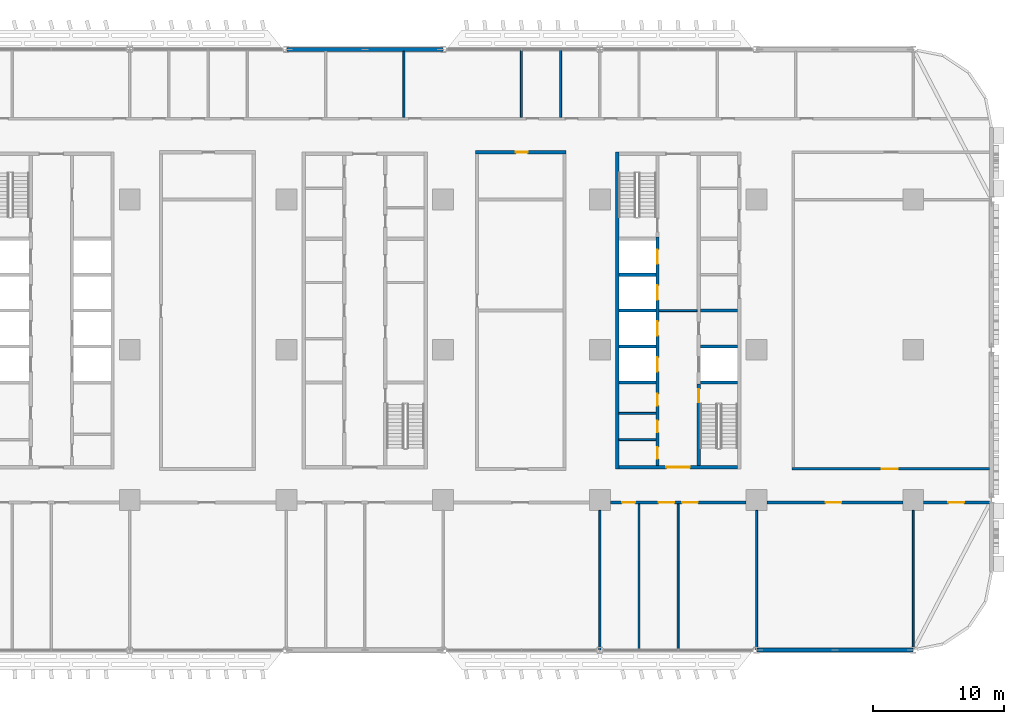
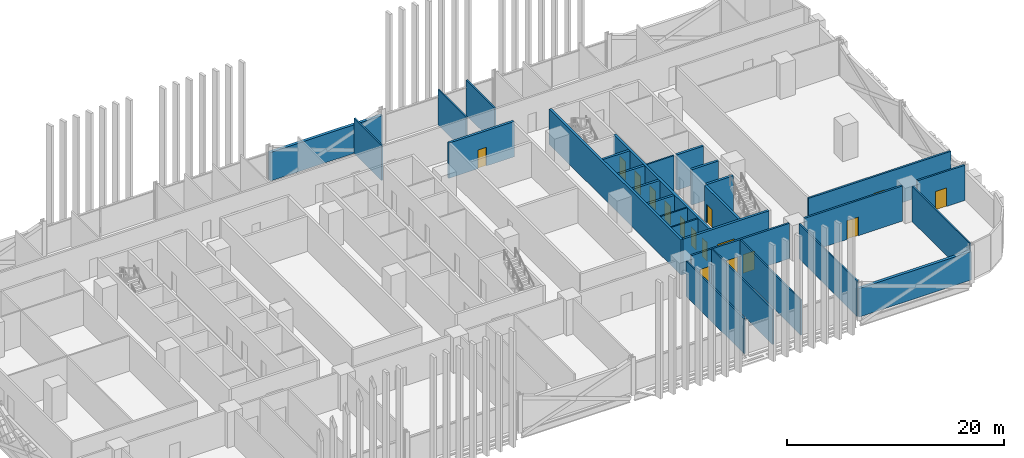
# One storey, part 14 of 29: 29 walls, 16 doors, 16 openings.
"""IFC4 building model written with IfcOpenShell, lengths in metres."""

from ifc_helpers import new_model, si_unit, direction, frame, frame_2d, origin, place, context, subcontext, project, spatial, rectangle, extrude, material, layer, layer_set, type_object, element, fill, save


model = new_model("IFC4")

# Units and contexts
model_context = context("Model", 3, precision=1e-05, world=origin(), true_north=direction((0.0, 1.0)))
body_context = subcontext(model_context, "Body", "Model", "MODEL_VIEW")
ifc_project = project(units=[si_unit("LENGTHUNIT", "METRE"), si_unit("AREAUNIT", "SQUARE_METRE"), si_unit("VOLUMEUNIT", "CUBIC_METRE"), si_unit("PLANEANGLEUNIT", "RADIAN"), si_unit("MASSUNIT", "GRAM", prefix="KILO")], contexts=[model_context])

# Site, building, storey
site_placement = place(None, origin())
site = spatial("IfcSite", under=ifc_project, at=site_placement, CompositionType="ELEMENT")
building_placement = place(site_placement, origin())
building = spatial("IfcBuilding", under=site, at=building_placement, Name="Mahtab Terrace Research Tower", CompositionType="ELEMENT")
storey_placement = place(building_placement, frame((0.0, 0.0, 24.39990234375)))
storey = spatial("IfcBuildingStorey", under=building, at=storey_placement, Name="L05", CompositionType="ELEMENT", Elevation=24.39990234375)

# Walls
ifc_material_1 = material(Name="Gypsum board partition")
ifc_layer_1 = layer(ifc_material_1, 0.14990234375)
ifc_layer_set_1 = layer_set([ifc_layer_1], Name="Core partition 150")
wall_type_1 = type_object("IfcWallType", Name="Core partition 150", PredefinedType="PARTITIONING", material=ifc_layer_set_1)
wall_1_placement = place(storey_placement, frame((22.550048828125, 3.0, 0.0), z_axis=(0.0, 0.0, 1.0), x_axis=(1.0, 0.0, 0.0)))
element("IfcWall", 1, at=wall_1_placement, inside=storey, type_object=wall_type_1, Name="Core wall C ffl", PredefinedType="PARTITIONING", context=body_context, shape_type="SweptSolid", body=[
    extrude(rectangle(XDim=2.89990234375, YDim=0.14990234375, at=frame_2d((1.449951171875, 0.0))), origin(), (0.0, 0.0, 1.0), 3.960205078125),
])
for number, where, z_axis, x_axis, name in (
    (2, (19.449951171875, -6.875, 0.0), (0.0, 0.0, 1.0), (1.0, 0.0, 0.0), "Core wall C pWS-988"),
    (3, (19.449951171875, -4.875, 0.0), (0.0, 0.0, 1.0), (1.0, 0.0, 0.0), "Core wall C pWS-788"),
):
    element("IfcWall", number, at=place(storey_placement, frame(where, z_axis=z_axis, x_axis=x_axis)), inside=storey, type_object=wall_type_1, Name=name, PredefinedType="PARTITIONING", context=body_context, shape_type="SweptSolid", body=[
        extrude(rectangle(XDim=2.85009765625, YDim=0.14990234375, at=frame_2d((1.425048828125, 0.0))), origin(), (0.0, 0.0, 1.0), 3.960205078125),
    ])
ifc_material_2 = material(Name="Concrete C70/85", Category="concrete")
ifc_layer_2 = layer(ifc_material_2, 0.25)
ifc_layer_set_2 = layer_set([ifc_layer_2], Name="Core wall 250")
wall_type_2 = type_object("IfcWallType", Name="Core wall 250", PredefinedType="SOLIDWALL", material=ifc_layer_set_2)
wall_2_placement = place(storey_placement, frame((19.324951171875, 15.125, 0.0), z_axis=(0.0, 0.0, 1.0), x_axis=(0.0, -1.0, 0.0)))
element("IfcWall", 4, at=wall_2_placement, inside=storey, type_object=wall_type_2, Name="Core wall C outerW", PredefinedType="SOLIDWALL", context=body_context, shape_type="SweptSolid", body=[
    extrude(rectangle(XDim=24.25, YDim=0.25, at=frame_2d((12.125, 0.0))), origin(), (0.0, 0.0, 1.0), 3.960205078125),
])

# Wall, opening, door
wall_3_placement = place(storey_placement, frame((28.550048828125, -9.0, 0.0), z_axis=(0.0, 0.0, 1.0), x_axis=(-1.0, 0.0, 0.0)))
wall_3 = element("IfcWall", 5, at=wall_3_placement, inside=storey, type_object=wall_type_2, Name="Core wall C endS", PredefinedType="SOLIDWALL", context=body_context, shape_type="SweptSolid", body=[
    extrude(rectangle(XDim=9.10009765625, YDim=0.25, at=frame_2d((4.550048828125, 0.0))), origin(), (0.0, 0.0, 1.0), 3.960205078125),
])
opening_1_placement = place(wall_3_placement, frame((3.64990234375, 0.0, 0.0)))
opening_1 = element("IfcOpeningElement", 6, at=opening_1_placement, cuts=wall_3, Name="Opening C-S1", PredefinedType="OPENING", context=body_context, shape_type="SweptSolid", body=[
    extrude(rectangle(XDim=1.800048828125, YDim=2.10009765625, at=frame_2d((0.89990234375, 1.050048828125))), frame((0.0, 0.135009765625, 0.0), z_axis=(0.0, -1.0, 0.0), x_axis=(1.0, 0.0, 0.0)), (0.0, 0.0, 1.0), 0.27001953125),
])
ifc_material_3 = material(Name="Steel fire door", Category="steel")
door_type_1 = type_object("IfcDoorType", Name="Lobby double door 1800x2100 1 HR", OperationType="DOUBLE_DOOR_SINGLE_SWING", PredefinedType="DOOR", material=ifc_material_3)
door_1_placement = place(opening_1_placement, origin())
door_1 = element("IfcDoor", 7, at=door_1_placement, inside=storey, type_object=door_type_1, Name="Core entrance door C S", OperationType="DOUBLE_DOOR_SINGLE_SWING", OverallHeight=2.10009765625, OverallWidth=1.800048828125, PredefinedType="DOOR", context=body_context, shape_type="SweptSolid", body=[
    extrude(rectangle(XDim=1.800048828125, YDim=2.10009765625, at=frame_2d((0.89990234375, 1.050048828125))), frame((0.0, 0.02490234375, 0.0), z_axis=(0.0, -1.0, 0.0), x_axis=(1.0, 0.0, 0.0)), (0.0, 0.0, 1.0), 0.050048828125),
])
fill(opening_1, door_1)

# Wall, openings, doors
wall_4_placement = place(storey_placement, frame((22.425048828125, -8.875, 0.0), z_axis=(0.0, 0.0, 1.0), x_axis=(0.0, 1.0, 0.0)))
wall_4 = element("IfcWall", 8, at=wall_4_placement, inside=storey, type_object=wall_type_2, Name="Core wall C innerWSL", PredefinedType="SOLIDWALL", context=body_context, shape_type="SweptSolid", body=[
    extrude(rectangle(XDim=17.5, YDim=0.25, at=frame_2d((8.75, 0.0))), origin(), (0.0, 0.0, 1.0), 3.960205078125),
])
opening_2_placement = place(wall_4_placement, frame((7.199951171875, 0.0, 0.0)))
opening_2 = element("IfcOpeningElement", 9, at=opening_2_placement, cuts=wall_4, Name="Opening LD17-L05", PredefinedType="OPENING", context=body_context, shape_type="SweptSolid", body=[
    extrude(rectangle(XDim=1.10009765625, YDim=2.10009765625, at=frame_2d((0.550048828125, 1.050048828125))), frame((0.0, 0.135009765625, 0.0), z_axis=(0.0, -1.0, 0.0), x_axis=(1.0, 0.0, 0.0)), (0.0, 0.0, 1.0), 0.27001953125),
])
opening_3_placement = place(wall_4_placement, frame((9.949951171875, 0.0, 0.0)))
opening_3 = element("IfcOpeningElement", 10, at=opening_3_placement, cuts=wall_4, Name="Opening LD18-L05", PredefinedType="OPENING", context=body_context, shape_type="SweptSolid", body=[
    extrude(rectangle(XDim=1.10009765625, YDim=2.10009765625, at=frame_2d((0.550048828125, 1.050048828125))), frame((0.0, 0.135009765625, 0.0), z_axis=(0.0, -1.0, 0.0), x_axis=(1.0, 0.0, 0.0)), (0.0, 0.0, 1.0), 0.27001953125),
])
opening_4_placement = place(wall_4_placement, frame((12.699951171875, 0.0, 0.0)))
opening_4 = element("IfcOpeningElement", 11, at=opening_4_placement, cuts=wall_4, Name="Opening LD19-L05", PredefinedType="OPENING", context=body_context, shape_type="SweptSolid", body=[
    extrude(rectangle(XDim=1.10009765625, YDim=2.10009765625, at=frame_2d((0.550048828125, 1.050048828125))), frame((0.0, 0.135009765625, 0.0), z_axis=(0.0, -1.0, 0.0), x_axis=(1.0, 0.0, 0.0)), (0.0, 0.0, 1.0), 0.27001953125),
])
opening_5_placement = place(wall_4_placement, frame((15.449951171875, 0.0, 0.0)))
opening_5 = element("IfcOpeningElement", 12, at=opening_5_placement, cuts=wall_4, Name="Opening LD20-L05", PredefinedType="OPENING", context=body_context, shape_type="SweptSolid", body=[
    extrude(rectangle(XDim=1.10009765625, YDim=2.10009765625, at=frame_2d((0.550048828125, 1.050048828125))), frame((0.0, 0.135009765625, 0.0), z_axis=(0.0, -1.0, 0.0), x_axis=(1.0, 0.0, 0.0)), (0.0, 0.0, 1.0), 0.27001953125),
])
opening_6_placement = place(wall_4_placement, frame((0.512451171875, 0.0, 0.0)))
opening_6 = element("IfcOpeningElement", 13, at=opening_6_placement, cuts=wall_4, Name="Opening C-R4", PredefinedType="OPENING", context=body_context, shape_type="SweptSolid", body=[
    extrude(rectangle(XDim=0.89990234375, YDim=2.10009765625, at=frame_2d((0.449951171875, 1.050048828125))), frame((0.0, 0.135009765625, 0.0), z_axis=(0.0, -1.0, 0.0), x_axis=(1.0, 0.0, 0.0)), (0.0, 0.0, 1.0), 0.27001953125),
])
opening_7_placement = place(wall_4_placement, frame((2.550048828125, 0.0, 0.0)))
opening_7 = element("IfcOpeningElement", 14, at=opening_7_placement, cuts=wall_4, Name="Opening C-R5", PredefinedType="OPENING", context=body_context, shape_type="SweptSolid", body=[
    extrude(rectangle(XDim=0.89990234375, YDim=2.10009765625, at=frame_2d((0.449951171875, 1.050048828125))), frame((0.0, 0.135009765625, 0.0), z_axis=(0.0, -1.0, 0.0), x_axis=(1.0, 0.0, 0.0)), (0.0, 0.0, 1.0), 0.27001953125),
])
opening_8_placement = place(wall_4_placement, frame((4.58740234375, 0.0, 0.0)))
opening_8 = element("IfcOpeningElement", 15, at=opening_8_placement, cuts=wall_4, Name="Opening C-R6", PredefinedType="OPENING", context=body_context, shape_type="SweptSolid", body=[
    extrude(rectangle(XDim=0.89990234375, YDim=2.10009765625, at=frame_2d((0.449951171875, 1.050048828125))), frame((0.0, 0.135009765625, 0.0), z_axis=(0.0, -1.0, 0.0), x_axis=(1.0, 0.0, 0.0)), (0.0, 0.0, 1.0), 0.27001953125),
])
ifc_material_4 = material(Name="Stainless steel AISI 304", Category="steel")
door_type_2 = type_object("IfcDoorType", Name="Landing door 1100x2100", OperationType="DOUBLE_DOOR_SLIDING", PredefinedType="DOOR", material=ifc_material_4)
door_2_placement = place(opening_2_placement, origin())
door_2 = element("IfcDoor", 16, at=door_2_placement, inside=storey, type_object=door_type_2, Name="Landing door SV1 L05", OperationType="DOUBLE_DOOR_SLIDING", OverallHeight=2.10009765625, OverallWidth=1.10009765625, PredefinedType="DOOR", context=body_context, shape_type="SweptSolid", body=[
    extrude(rectangle(XDim=1.10009765625, YDim=2.10009765625, at=frame_2d((0.550048828125, 1.050048828125))), frame((0.0, 0.02490234375, 0.0), z_axis=(0.0, -1.0, 0.0), x_axis=(1.0, 0.0, 0.0)), (0.0, 0.0, 1.0), 0.050048828125),
])
fill(opening_2, door_2)
door_3_placement = place(opening_3_placement, origin())
door_3 = element("IfcDoor", 17, at=door_3_placement, inside=storey, type_object=door_type_2, Name="Landing door SV2 L05", OperationType="DOUBLE_DOOR_SLIDING", OverallHeight=2.10009765625, OverallWidth=1.10009765625, PredefinedType="DOOR", context=body_context, shape_type="SweptSolid", body=[
    extrude(rectangle(XDim=1.10009765625, YDim=2.10009765625, at=frame_2d((0.550048828125, 1.050048828125))), frame((0.0, 0.02490234375, 0.0), z_axis=(0.0, -1.0, 0.0), x_axis=(1.0, 0.0, 0.0)), (0.0, 0.0, 1.0), 0.050048828125),
])
fill(opening_3, door_3)
door_4_placement = place(opening_4_placement, origin())
door_4 = element("IfcDoor", 18, at=door_4_placement, inside=storey, type_object=door_type_2, Name="Landing door FF1 L05", OperationType="DOUBLE_DOOR_SLIDING", OverallHeight=2.10009765625, OverallWidth=1.10009765625, PredefinedType="DOOR", context=body_context, shape_type="SweptSolid", body=[
    extrude(rectangle(XDim=1.10009765625, YDim=2.10009765625, at=frame_2d((0.550048828125, 1.050048828125))), frame((0.0, 0.02490234375, 0.0), z_axis=(0.0, -1.0, 0.0), x_axis=(1.0, 0.0, 0.0)), (0.0, 0.0, 1.0), 0.050048828125),
])
fill(opening_4, door_4)
door_5_placement = place(opening_5_placement, origin())
door_5 = element("IfcDoor", 19, at=door_5_placement, inside=storey, type_object=door_type_2, Name="Landing door FF2 L05", OperationType="DOUBLE_DOOR_SLIDING", OverallHeight=2.10009765625, OverallWidth=1.10009765625, PredefinedType="DOOR", context=body_context, shape_type="SweptSolid", body=[
    extrude(rectangle(XDim=1.10009765625, YDim=2.10009765625, at=frame_2d((0.550048828125, 1.050048828125))), frame((0.0, 0.02490234375, 0.0), z_axis=(0.0, -1.0, 0.0), x_axis=(1.0, 0.0, 0.0)), (0.0, 0.0, 1.0), 0.050048828125),
])
fill(opening_5, door_5)
door_type_3 = type_object("IfcDoorType", Name="Room door 900x2100 1 HR", OperationType="NOTDEFINED", PredefinedType="DOOR", material=ifc_material_3)
door_6_placement = place(opening_6_placement, origin())
door_6 = element("IfcDoor", 20, at=door_6_placement, inside=storey, type_object=door_type_3, Name="Male WC door", OperationType="SINGLE_SWING_RIGHT", OverallHeight=2.10009765625, OverallWidth=0.89990234375, PredefinedType="DOOR", context=body_context, shape_type="SweptSolid", body=[
    extrude(rectangle(XDim=0.89990234375, YDim=2.10009765625, at=frame_2d((0.449951171875, 1.050048828125))), frame((0.0, 0.02490234375, 0.0), z_axis=(0.0, -1.0, 0.0), x_axis=(1.0, 0.0, 0.0)), (0.0, 0.0, 1.0), 0.050048828125),
])
fill(opening_6, door_6)
door_7_placement = place(opening_7_placement, origin())
door_7 = element("IfcDoor", 21, at=door_7_placement, inside=storey, type_object=door_type_3, Name="Female WC door", OperationType="SINGLE_SWING_LEFT", OverallHeight=2.10009765625, OverallWidth=0.89990234375, PredefinedType="DOOR", context=body_context, shape_type="SweptSolid", body=[
    extrude(rectangle(XDim=0.89990234375, YDim=2.10009765625, at=frame_2d((0.449951171875, 1.050048828125))), frame((0.0, 0.02490234375, 0.0), z_axis=(0.0, -1.0, 0.0), x_axis=(1.0, 0.0, 0.0)), (0.0, 0.0, 1.0), 0.050048828125),
])
fill(opening_7, door_7)
door_8_placement = place(opening_8_placement, origin())
door_8 = element("IfcDoor", 22, at=door_8_placement, inside=storey, type_object=door_type_3, Name="Accessible WC door", OperationType="SINGLE_SWING_RIGHT", OverallHeight=2.10009765625, OverallWidth=0.89990234375, PredefinedType="DOOR", context=body_context, shape_type="SweptSolid", body=[
    extrude(rectangle(XDim=0.89990234375, YDim=2.10009765625, at=frame_2d((0.449951171875, 1.050048828125))), frame((0.0, 0.02490234375, 0.0), z_axis=(0.0, -1.0, 0.0), x_axis=(1.0, 0.0, 0.0)), (0.0, 0.0, 1.0), 0.050048828125),
])
fill(opening_8, door_8)

# Wall, opening, door
wall_5_placement = place(storey_placement, frame((25.574951171875, -8.875, 0.0), z_axis=(0.0, 0.0, 1.0), x_axis=(0.0, 1.0, 0.0)))
wall_5 = element("IfcWall", 23, at=wall_5_placement, inside=storey, type_object=wall_type_2, Name="Core wall C innerES", PredefinedType="SOLIDWALL", context=body_context, shape_type="SweptSolid", body=[
    extrude(rectangle(XDim=6.25, YDim=0.25, at=frame_2d((3.125, 0.0))), origin(), (0.0, 0.0, 1.0), 3.960205078125),
])
opening_9_placement = place(wall_5_placement, frame((4.85009765625, 0.0, 0.0)))
opening_9 = element("IfcOpeningElement", 24, at=opening_9_placement, cuts=wall_5, Name="Opening C-ST4", PredefinedType="OPENING", context=body_context, shape_type="SweptSolid", body=[
    extrude(rectangle(XDim=1.0, YDim=2.10009765625, at=frame_2d((0.5, 1.050048828125))), frame((0.0, 0.135009765625, 0.0), z_axis=(0.0, -1.0, 0.0), x_axis=(1.0, 0.0, 0.0)), (0.0, 0.0, 1.0), 0.27001953125),
])
door_type_4 = type_object("IfcDoorType", Name="Stair door 1000x2100 1.5 HR", OperationType="NOTDEFINED", PredefinedType="DOOR", material=ifc_material_3)
door_9_placement = place(opening_9_placement, origin())
door_9 = element("IfcDoor", 25, at=door_9_placement, inside=storey, type_object=door_type_4, Name="Stair door ST4 L05", OperationType="SINGLE_SWING_RIGHT", OverallHeight=2.10009765625, OverallWidth=1.0, PredefinedType="DOOR", context=body_context, shape_type="SweptSolid", body=[
    extrude(rectangle(XDim=1.0, YDim=2.10009765625, at=frame_2d((0.5, 1.050048828125))), frame((0.0, 0.02490234375, 0.0), z_axis=(0.0, -1.0, 0.0), x_axis=(1.0, 0.0, 0.0)), (0.0, 0.0, 1.0), 0.050048828125),
])
fill(opening_9, door_9)

# Walls
for number, where, z_axis, x_axis, name in (
    (26, (19.449951171875, -2.5, 0.0), (0.0, 0.0, 1.0), (1.0, 0.0, 0.0), "Core wall C divW0"),
    (27, (19.449951171875, 0.25, 0.0), (0.0, 0.0, 1.0), (1.0, 0.0, 0.0), "Core wall C divW1"),
    (28, (19.449951171875, 3.0, 0.0), (0.0, 0.0, 1.0), (1.0, 0.0, 0.0), "Core wall C divW2"),
    (29, (19.449951171875, 5.75, 0.0), (0.0, 0.0, 1.0), (1.0, 0.0, 0.0), "Core wall C divW3"),
    (30, (25.699951171875, -2.5, 0.0), (0.0, 0.0, 1.0), (1.0, 0.0, 0.0), "Core wall C divE0"),
    (31, (25.699951171875, 0.25, 0.0), (0.0, 0.0, 1.0), (1.0, 0.0, 0.0), "Core wall C divE1"),
    (32, (25.699951171875, 3.0, 0.0), (0.0, 0.0, 1.0), (1.0, 0.0, 0.0), "Core wall C divE2"),
):
    element("IfcWall", number, at=place(storey_placement, frame(where, z_axis=z_axis, x_axis=x_axis)), inside=storey, type_object=wall_type_2, Name=name, PredefinedType="SOLIDWALL", context=body_context, shape_type="SweptSolid", body=[
        extrude(rectangle(XDim=2.85009765625, YDim=0.25, at=frame_2d((1.425048828125, 0.0))), origin(), (0.0, 0.0, 1.0), 3.960205078125),
    ])
ifc_material_5 = material(Name="Black aluminium cladding panel", Category="aluminium")
ifc_layer_3 = layer(ifc_material_5, 0.300048828125)
ifc_layer_set_3 = layer_set([ifc_layer_3], Name="Opaque facade wall 300")
wall_type_3 = type_object("IfcWallType", Name="Opaque facade wall 300", PredefinedType="NOTDEFINED", material=ifc_layer_set_3)
for number, where, z_axis, x_axis, name in (
    (33, (5.97216796875, 23.0, 0.0), (0.0, 0.0, 1.0), (-1.0, 0.0, 0.0), "Opaque facade wall L05 N6"),
    (34, (30.02783203125, -23.0, 0.0), (0.0, 0.0, 1.0), (1.0, 0.0, 0.0), "Opaque facade wall L05 S28"),
):
    element("IfcWall", number, at=place(storey_placement, frame(where, z_axis=z_axis, x_axis=x_axis)), inside=storey, type_object=wall_type_3, Name=name, PredefinedType="NOTDEFINED", context=body_context, shape_type="SweptSolid", body=[
        extrude(rectangle(XDim=11.9443359375, YDim=0.300048828125, at=frame_2d((5.97216796875, 0.0))), origin(), (0.0, 0.0, 1.0), 3.203125),
    ])

# Wall, opening, door
ifc_material_6 = material(Name="Masonry control area wall", Category="masonry")
ifc_layer_4 = layer(ifc_material_6, 0.25)
ifc_layer_set_4 = layer_set([ifc_layer_4], Name="WALL CONTROL AREA 250")
wall_type_4 = type_object("IfcWallType", Name="WALL CONTROL AREA 250", PredefinedType="PARTITIONING", material=ifc_layer_set_4)
wall_6_placement = place(storey_placement, frame((8.47509765625, 15.125, 0.0), z_axis=(0.0, 0.0, 1.0), x_axis=(1.0, 0.0, 0.0)))
wall_6 = element("IfcWall", 35, at=wall_6_placement, inside=storey, type_object=wall_type_4, Name="L05-W024", PredefinedType="PARTITIONING", context=body_context, shape_type="SweptSolid", body=[
    extrude(rectangle(XDim=6.949951171875, YDim=0.25, at=frame_2d((3.47509765625, 0.0))), origin(), (0.0, 0.0, 1.0), 3.960205078125),
])
opening_10_placement = place(wall_6_placement, frame((3.10009765625, 0.0, 0.0)))
opening_10 = element("IfcOpeningElement", 36, at=opening_10_placement, cuts=wall_6, Name="Opening L05-127", PredefinedType="OPENING", context=body_context, shape_type="SweptSolid", body=[
    extrude(rectangle(XDim=0.89990234375, YDim=2.10009765625, at=frame_2d((0.449951171875, 1.050048828125))), frame((0.0, 0.135009765625, 0.0), z_axis=(0.0, -1.0, 0.0), x_axis=(1.0, 0.0, 0.0)), (0.0, 0.0, 1.0), 0.27001953125),
])
ifc_material_7 = material(Name="Timber door leaf in steel frame", Category="steel")
door_type_5 = type_object("IfcDoorType", Name="DOOR 0900X2100 FD120", OperationType="SINGLE_SWING_LEFT", PredefinedType="DOOR", material=ifc_material_7)
door_10_placement = place(opening_10_placement, origin())
door_10 = element("IfcDoor", 37, at=door_10_placement, inside=storey, type_object=door_type_5, Name="Door L05-127", OperationType="SINGLE_SWING_LEFT", OverallHeight=2.10009765625, OverallWidth=0.89990234375, PredefinedType="DOOR", context=body_context, shape_type="SweptSolid", body=[
    extrude(rectangle(XDim=0.89990234375, YDim=2.10009765625, at=frame_2d((0.449951171875, 1.050048828125))), frame((0.0, 0.02490234375, 0.0), z_axis=(0.0, -1.0, 0.0), x_axis=(1.0, 0.0, 0.0)), (0.0, 0.0, 1.0), 0.050048828125),
])
fill(opening_10, door_10)

# Wall, openings, doors
ifc_material_8 = material(Name="Gypsum board corridor wall on steel studs", Category="steel")
ifc_layer_5 = layer(ifc_material_8, 0.199951171875)
ifc_layer_set_5 = layer_set([ifc_layer_5], Name="WALL CORRIDOR 200")
wall_type_5 = type_object("IfcWallType", Name="WALL CORRIDOR 200", PredefinedType="PARTITIONING", material=ifc_layer_set_5)
wall_7_placement = place(storey_placement, frame((18.800048828125, -11.699951171875, 0.0), z_axis=(0.0, 0.0, 1.0), x_axis=(1.0, 0.0, 0.0)))
wall_7 = element("IfcWall", 38, at=wall_7_placement, inside=storey, type_object=wall_type_5, Name="L05-W007", PredefinedType="PARTITIONING", context=body_context, shape_type="SweptSolid", body=[
    extrude(rectangle(XDim=10.39990234375, YDim=0.199951171875, at=frame_2d((5.199951171875, 0.0))), origin(), (0.0, 0.0, 1.0), 3.960205078125),
])
opening_11_placement = place(wall_7_placement, frame((0.89990234375, 0.0, 0.0)))
opening_11 = element("IfcOpeningElement", 39, at=opening_11_placement, cuts=wall_7, Name="Opening L05-111", PredefinedType="OPENING", context=body_context, shape_type="SweptSolid", body=[
    extrude(rectangle(XDim=1.0, YDim=2.10009765625, at=frame_2d((0.5, 1.050048828125))), frame((0.0, 0.10986328125, 0.0), z_axis=(0.0, -1.0, 0.0), x_axis=(1.0, 0.0, 0.0)), (0.0, 0.0, 1.0), 0.219970703125),
])
opening_12_placement = place(wall_7_placement, frame((3.699951171875, 0.0, 0.0)))
opening_12 = element("IfcOpeningElement", 40, at=opening_12_placement, cuts=wall_7, Name="Opening L05-112", PredefinedType="OPENING", context=body_context, shape_type="SweptSolid", body=[
    extrude(rectangle(XDim=1.199951171875, YDim=2.10009765625, at=frame_2d((0.60009765625, 1.050048828125))), frame((0.0, 0.10986328125, 0.0), z_axis=(0.0, -1.0, 0.0), x_axis=(1.0, 0.0, 0.0)), (0.0, 0.0, 1.0), 0.219970703125),
])
opening_13_placement = place(wall_7_placement, frame((5.5, 0.0, 0.0)))
opening_13 = element("IfcOpeningElement", 41, at=opening_13_placement, cuts=wall_7, Name="Opening L05-113", PredefinedType="OPENING", context=body_context, shape_type="SweptSolid", body=[
    extrude(rectangle(XDim=1.199951171875, YDim=2.10009765625, at=frame_2d((0.60009765625, 1.050048828125))), frame((0.0, 0.10986328125, 0.0), z_axis=(0.0, -1.0, 0.0), x_axis=(1.0, 0.0, 0.0)), (0.0, 0.0, 1.0), 0.219970703125),
])
door_type_6 = type_object("IfcDoorType", Name="DOOR 1000X2100 FD30S", OperationType="SINGLE_SWING_LEFT", PredefinedType="DOOR", material=ifc_material_7)
door_11_placement = place(opening_11_placement, origin())
door_11 = element("IfcDoor", 42, at=door_11_placement, inside=storey, type_object=door_type_6, Name="Door L05-111", OperationType="SINGLE_SWING_RIGHT", OverallHeight=2.10009765625, OverallWidth=1.0, PredefinedType="DOOR", context=body_context, shape_type="SweptSolid", body=[
    extrude(rectangle(XDim=1.0, YDim=2.10009765625, at=frame_2d((0.5, 1.050048828125))), frame((0.0, 0.02490234375, 0.0), z_axis=(0.0, -1.0, 0.0), x_axis=(1.0, 0.0, 0.0)), (0.0, 0.0, 1.0), 0.050048828125),
])
fill(opening_11, door_11)
door_type_7 = type_object("IfcDoorType", Name="DOOR 1200X2100 FD30S", OperationType="SINGLE_SWING_LEFT", PredefinedType="DOOR", material=ifc_material_7)
door_12_placement = place(opening_12_placement, origin())
door_12 = element("IfcDoor", 43, at=door_12_placement, inside=storey, type_object=door_type_7, Name="Door L05-112", OperationType="SINGLE_SWING_RIGHT", OverallHeight=2.10009765625, OverallWidth=1.199951171875, PredefinedType="DOOR", context=body_context, shape_type="SweptSolid", body=[
    extrude(rectangle(XDim=1.199951171875, YDim=2.10009765625, at=frame_2d((0.60009765625, 1.050048828125))), frame((0.0, 0.02490234375, 0.0), z_axis=(0.0, -1.0, 0.0), x_axis=(1.0, 0.0, 0.0)), (0.0, 0.0, 1.0), 0.050048828125),
])
fill(opening_12, door_12)
door_13_placement = place(opening_13_placement, origin())
door_13 = element("IfcDoor", 44, at=door_13_placement, inside=storey, type_object=door_type_7, Name="Door L05-113", OperationType="SINGLE_SWING_LEFT", OverallHeight=2.10009765625, OverallWidth=1.199951171875, PredefinedType="DOOR", context=body_context, shape_type="SweptSolid", body=[
    extrude(rectangle(XDim=1.199951171875, YDim=2.10009765625, at=frame_2d((0.60009765625, 1.050048828125))), frame((0.0, 0.02490234375, 0.0), z_axis=(0.0, -1.0, 0.0), x_axis=(1.0, 0.0, 0.0)), (0.0, 0.0, 1.0), 0.050048828125),
])
fill(opening_13, door_13)

# Wall, opening, door
wall_8_placement = place(storey_placement, frame((30.800048828125, -11.699951171875, 0.0), z_axis=(0.0, 0.0, 1.0), x_axis=(1.0, 0.0, 0.0)))
wall_8 = element("IfcWall", 45, at=wall_8_placement, inside=storey, type_object=wall_type_5, Name="L05-W008", PredefinedType="PARTITIONING", context=body_context, shape_type="SweptSolid", body=[
    extrude(rectangle(XDim=10.39990234375, YDim=0.199951171875, at=frame_2d((5.199951171875, 0.0))), origin(), (0.0, 0.0, 1.0), 3.960205078125),
])
opening_14_placement = place(wall_8_placement, frame((4.5, 0.0, 0.0)))
opening_14 = element("IfcOpeningElement", 46, at=opening_14_placement, cuts=wall_8, Name="Opening L05-114", PredefinedType="OPENING", context=body_context, shape_type="SweptSolid", body=[
    extrude(rectangle(XDim=1.199951171875, YDim=2.10009765625, at=frame_2d((0.60009765625, 1.050048828125))), frame((0.0, 0.10986328125, 0.0), z_axis=(0.0, -1.0, 0.0), x_axis=(1.0, 0.0, 0.0)), (0.0, 0.0, 1.0), 0.219970703125),
])
door_14_placement = place(opening_14_placement, origin())
door_14 = element("IfcDoor", 47, at=door_14_placement, inside=storey, type_object=door_type_7, Name="Door L05-114", OperationType="SINGLE_SWING_RIGHT", OverallHeight=2.10009765625, OverallWidth=1.199951171875, PredefinedType="DOOR", context=body_context, shape_type="SweptSolid", body=[
    extrude(rectangle(XDim=1.199951171875, YDim=2.10009765625, at=frame_2d((0.60009765625, 1.050048828125))), frame((0.0, 0.02490234375, 0.0), z_axis=(0.0, -1.0, 0.0), x_axis=(1.0, 0.0, 0.0)), (0.0, 0.0, 1.0), 0.050048828125),
])
fill(opening_14, door_14)

wall_9_placement = place(storey_placement, frame((42.800048828125, -11.699951171875, 0.0), z_axis=(0.0, 0.0, 1.0), x_axis=(1.0, 0.0, 0.0)))
wall_9 = element("IfcWall", 48, at=wall_9_placement, inside=storey, type_object=wall_type_5, Name="L05-W009", PredefinedType="PARTITIONING", context=body_context, shape_type="SweptSolid", body=[
    extrude(rectangle(XDim=5.050048828125, YDim=0.199951171875, at=frame_2d((2.52490234375, 0.0))), origin(), (0.0, 0.0, 1.0), 3.960205078125),
])
opening_15_placement = place(wall_9_placement, frame((1.89990234375, 0.0, 0.0)))
opening_15 = element("IfcOpeningElement", 49, at=opening_15_placement, cuts=wall_9, Name="Opening L05-115", PredefinedType="OPENING", context=body_context, shape_type="SweptSolid", body=[
    extrude(rectangle(XDim=1.199951171875, YDim=2.10009765625, at=frame_2d((0.60009765625, 1.050048828125))), frame((0.0, 0.10986328125, 0.0), z_axis=(0.0, -1.0, 0.0), x_axis=(1.0, 0.0, 0.0)), (0.0, 0.0, 1.0), 0.219970703125),
])
door_15_placement = place(opening_15_placement, origin())
door_15 = element("IfcDoor", 50, at=door_15_placement, inside=storey, type_object=door_type_7, Name="Door L05-115", OperationType="SINGLE_SWING_RIGHT", OverallHeight=2.10009765625, OverallWidth=1.199951171875, PredefinedType="DOOR", context=body_context, shape_type="SweptSolid", body=[
    extrude(rectangle(XDim=1.199951171875, YDim=2.10009765625, at=frame_2d((0.60009765625, 1.050048828125))), frame((0.0, 0.02490234375, 0.0), z_axis=(0.0, -1.0, 0.0), x_axis=(1.0, 0.0, 0.0)), (0.0, 0.0, 1.0), 0.050048828125),
])
fill(opening_15, door_15)

wall_10_placement = place(storey_placement, frame((32.699951171875, -9.125, 0.0), z_axis=(0.0, 0.0, 1.0), x_axis=(1.0, 0.0, 0.0)))
wall_10 = element("IfcWall", 51, at=wall_10_placement, inside=storey, type_object=wall_type_5, Name="L05-W013", PredefinedType="PARTITIONING", context=body_context, shape_type="SweptSolid", body=[
    extrude(rectangle(XDim=15.150146484375, YDim=0.199951171875, at=frame_2d((7.5751953125, 0.0))), origin(), (0.0, 0.0, 1.0), 3.960205078125),
])
opening_16_placement = place(wall_10_placement, frame((6.89990234375, 0.0, 0.0)))
opening_16 = element("IfcOpeningElement", 52, at=opening_16_placement, cuts=wall_10, Name="Opening L05-120", PredefinedType="OPENING", context=body_context, shape_type="SweptSolid", body=[
    extrude(rectangle(XDim=1.199951171875, YDim=2.10009765625, at=frame_2d((0.60009765625, 1.050048828125))), frame((0.0, 0.10986328125, 0.0), z_axis=(0.0, -1.0, 0.0), x_axis=(1.0, 0.0, 0.0)), (0.0, 0.0, 1.0), 0.219970703125),
])
door_16_placement = place(opening_16_placement, origin())
door_16 = element("IfcDoor", 53, at=door_16_placement, inside=storey, type_object=door_type_7, Name="Door L05-120", OperationType="SINGLE_SWING_LEFT", OverallHeight=2.10009765625, OverallWidth=1.199951171875, PredefinedType="DOOR", context=body_context, shape_type="SweptSolid", body=[
    extrude(rectangle(XDim=1.199951171875, YDim=2.10009765625, at=frame_2d((0.60009765625, 1.050048828125))), frame((0.0, 0.02490234375, 0.0), z_axis=(0.0, -1.0, 0.0), x_axis=(1.0, 0.0, 0.0)), (0.0, 0.0, 1.0), 0.050048828125),
])
fill(opening_16, door_16)

# Walls
ifc_material_9 = material(Name="Gypsum board partition on steel studs", Category="steel")
ifc_layer_6 = layer(ifc_material_9, 0.14990234375)
ifc_layer_set_6 = layer_set([ifc_layer_6], Name="WALL PARTITION 150")
wall_type_6 = type_object("IfcWallType", Name="WALL PARTITION 150", PredefinedType="PARTITIONING", material=ifc_layer_set_6)
wall_11_placement = place(storey_placement, frame((3.0, 17.800048828125, 0.0), z_axis=(0.0, 0.0, 1.0), x_axis=(0.0, 1.0, 0.0)))
element("IfcWall", 54, at=wall_11_placement, inside=storey, type_object=wall_type_6, Name="L05-W049", PredefinedType="PARTITIONING", context=body_context, shape_type="SweptSolid", body=[
    extrude(rectangle(XDim=5.050048828125, YDim=0.14990234375, at=frame_2d((2.52490234375, 0.0))), origin(), (0.0, 0.0, 1.0), 3.960205078125),
])
for number, where, z_axis, x_axis, name in (
    (55, (12.0, 17.800048828125, 0.0), (0.0, 0.0, 1.0), (0.0, 1.0, 0.0), "L05-W052"),
    (56, (15.0, 17.800048828125, 0.0), (0.0, 0.0, 1.0), (0.0, 1.0, 0.0), "L05-W053"),
):
    element("IfcWall", number, at=place(storey_placement, frame(where, z_axis=z_axis, x_axis=x_axis)), inside=storey, type_object=wall_type_6, Name=name, PredefinedType="PARTITIONING", context=body_context, shape_type="SweptSolid", body=[
        extrude(rectangle(XDim=5.175048828125, YDim=0.14990234375, at=frame_2d((2.58740234375, 0.0))), origin(), (0.0, 0.0, 1.0), 3.960205078125),
    ])
wall_12_placement = place(storey_placement, frame((18.0, -22.97509765625, 0.0), z_axis=(0.0, 0.0, 1.0), x_axis=(0.0, 1.0, 0.0)))
element("IfcWall", 57, at=wall_12_placement, inside=storey, type_object=wall_type_6, Name="L05-W055", PredefinedType="PARTITIONING", context=body_context, shape_type="SweptSolid", body=[
    extrude(rectangle(XDim=10.675048828125, YDim=0.14990234375, at=frame_2d((5.33740234375, 0.0))), origin(), (0.0, 0.0, 1.0), 3.960205078125),
])
for number, where, z_axis, x_axis, name in (
    (58, (21.0, -22.97509765625, 0.0), (0.0, 0.0, 1.0), (0.0, 1.0, 0.0), "L05-W057"),
    (59, (24.0, -22.97509765625, 0.0), (0.0, 0.0, 1.0), (0.0, 1.0, 0.0), "L05-W059"),
):
    element("IfcWall", number, at=place(storey_placement, frame(where, z_axis=z_axis, x_axis=x_axis)), inside=storey, type_object=wall_type_6, Name=name, PredefinedType="PARTITIONING", context=body_context, shape_type="SweptSolid", body=[
        extrude(rectangle(XDim=11.175048828125, YDim=0.14990234375, at=frame_2d((5.58740234375, 0.0))), origin(), (0.0, 0.0, 1.0), 3.960205078125),
    ])
wall_13_placement = place(storey_placement, frame((30.0, -22.97509765625, 0.0), z_axis=(0.0, 0.0, 1.0), x_axis=(0.0, 1.0, 0.0)))
element("IfcWall", 60, at=wall_13_placement, inside=storey, type_object=wall_type_6, Name="L05-W061", PredefinedType="PARTITIONING", context=body_context, shape_type="SweptSolid", body=[
    extrude(rectangle(XDim=10.675048828125, YDim=0.14990234375, at=frame_2d((5.33740234375, 0.0))), origin(), (0.0, 0.0, 1.0), 3.960205078125),
])
wall_14_placement = place(storey_placement, frame((42.0, -22.84716796875, 0.0), z_axis=(0.0, 0.0, 1.0), x_axis=(0.0, 1.0, 0.0)))
element("IfcWall", 61, at=wall_14_placement, inside=storey, type_object=wall_type_6, Name="L05-W064", PredefinedType="PARTITIONING", context=body_context, shape_type="SweptSolid", body=[
    extrude(rectangle(XDim=10.547119140625, YDim=0.14990234375, at=frame_2d((5.2734375, 0.0))), origin(), (0.0, 0.0, 1.0), 3.960205078125),
])

save(model, "model.ifc")
